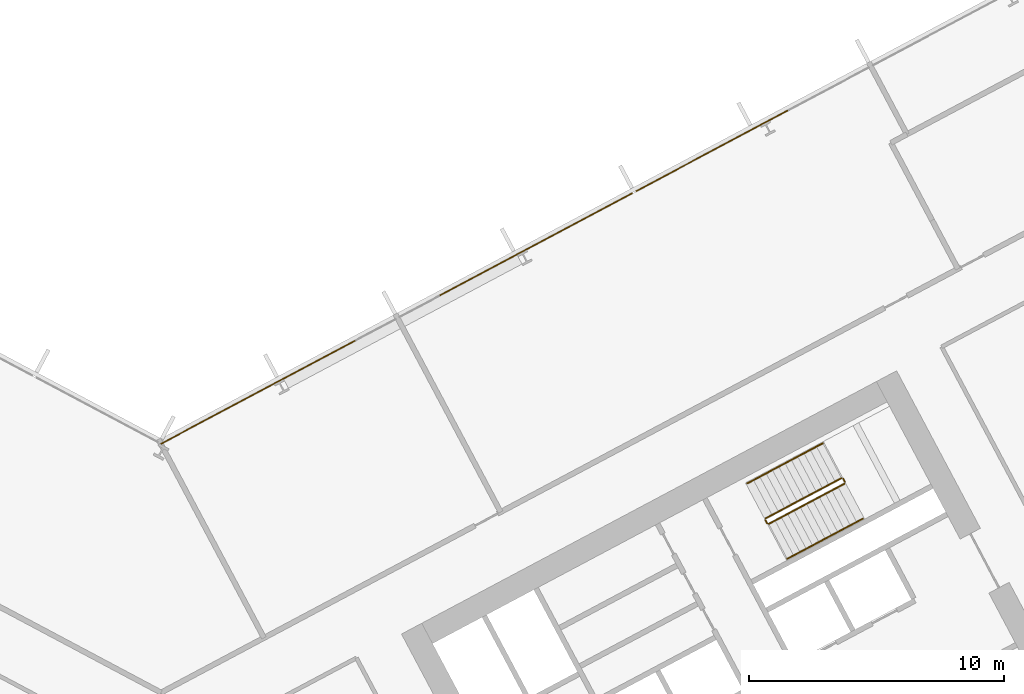
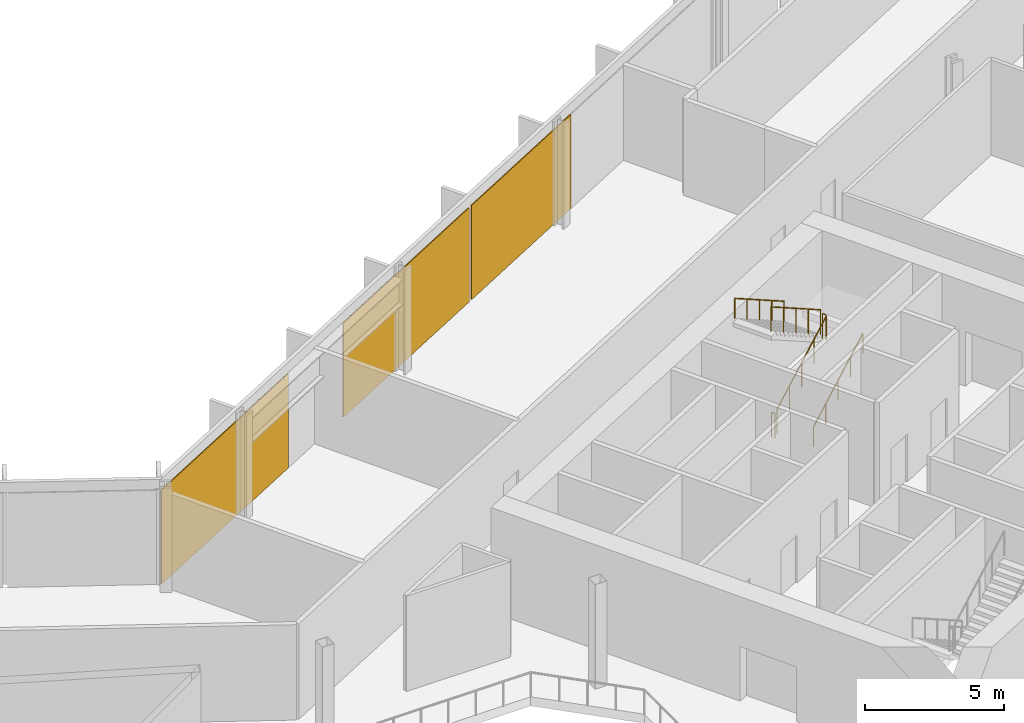
# One storey, part 29 of 32: 6 railings, 3 coverings, 1 element without a shape of its own.
"""IFC4 building model written with IfcOpenShell, lengths in metres."""

from ifc_helpers import new_model, si_unit, direction, frame, origin, origin_2d, place, context, subcontext, project, spatial, polyline, rectangle, outline, extrude, material, layer, layer_set, type_object, element, aggregate, save


model = new_model("IFC4")

# Units and contexts
model_context = context("Model", 3, precision=1e-05, world=origin(), true_north=direction((0.0, 1.0)))
body_context = subcontext(model_context, "Body", "Model", "MODEL_VIEW")
ifc_project = project(units=[si_unit("LENGTHUNIT", "METRE"), si_unit("AREAUNIT", "SQUARE_METRE"), si_unit("VOLUMEUNIT", "CUBIC_METRE"), si_unit("PLANEANGLEUNIT", "RADIAN"), si_unit("MASSUNIT", "GRAM", prefix="KILO")], contexts=[model_context])

# Site, building, storey
site_placement = place(None, origin())
site = spatial("IfcSite", under=ifc_project, at=site_placement, CompositionType="ELEMENT")
building_placement = place(site_placement, origin())
building = spatial("IfcBuilding", under=site, at=building_placement, Name="Cormorant Relay Tower", CompositionType="ELEMENT")
storey_placement = place(building_placement, frame((0.0, 0.0, 70.800048828125)))
storey = spatial("IfcBuildingStorey", under=building, at=storey_placement, Name="L13", CompositionType="ELEMENT", Elevation=70.800048828125)

# Curtain wall, coverings
ifc_material_1 = material(Name="Aluminium 6063-T6 anodised bronze", Category="aluminium")
ifc_layer_1 = layer(ifc_material_1, 0.199951171875)
ifc_layer_set_1 = layer_set([ifc_layer_1], Name="CW1 unitised bronze curtain wall with vertical fins")
curtain_wall_type = type_object("IfcCurtainWallType", Name="CW1 unitised bronze curtain wall with vertical fins", PredefinedType="NOTDEFINED", material=ifc_layer_set_1)
curtain_wall_placement = place(storey_placement, origin())
curtain_wall = element("IfcCurtainWall", 1, at=curtain_wall_placement, inside=storey, type_object=curtain_wall_type, Name="CW1 curtain wall 6", PredefinedType="NOTDEFINED")
ifc_material_2 = material(Name="Pale bronze anodised aluminium insulated panel", Category="aluminium")
ifc_layer_2 = layer(ifc_material_2, 0.0400390625)
ifc_layer_set_2 = layer_set([ifc_layer_2], Name="CW1 pale bronze insulated panel 40")
covering_type = type_object("IfcCoveringType", Name="CW1 pale bronze insulated panel 40", PredefinedType="CLADDING", material=ifc_layer_set_2)
covering_1_placement = place(storey_placement, frame((21.6123046875, 35.298095703125, 0.0), z_axis=(0.0, 0.0, 1.0), x_axis=(-0.882947592859, -0.469471562786, 0.0)))
covering_1 = element("IfcCovering", 2, at=covering_1_placement, type_object=covering_type, Name="CW1 panel S05", PredefinedType="CLADDING", context=body_context, shape_type="SweptSolid", body=[
    extrude(rectangle(XDim=6.765380859375, YDim=0.0400390625, at=origin_2d()), origin(), (0.0, 0.0, 1.0), 4.14990234375),
])
covering_2_placement = place(storey_placement, frame((14.7119140625, 31.629150390625, 0.0), z_axis=(0.0, 0.0, 1.0), x_axis=(-0.882947592859, -0.469471562786, 0.0)))
covering_2 = element("IfcCovering", 3, at=covering_2_placement, type_object=covering_type, Name="CW1 panel S06", PredefinedType="CLADDING", context=body_context, shape_type="SweptSolid", body=[
    extrude(rectangle(XDim=8.565185546875, YDim=0.0400390625, at=origin_2d()), origin(), (0.0, 0.0, 1.0), 4.14990234375),
])
covering_3_placement = place(storey_placement, frame((3.80517578125, 25.829833984375, 0.0), z_axis=(0.0, 0.0, 1.0), x_axis=(-0.882947592859, -0.469471562786, 0.0)))
covering_3 = element("IfcCovering", 4, at=covering_3_placement, type_object=covering_type, Name="CW1 panel S09", PredefinedType="CLADDING", context=body_context, shape_type="SweptSolid", body=[
    extrude(rectangle(XDim=8.640380859375, YDim=0.0400390625, at=origin_2d()), origin(), (0.0, 0.0, 1.0), 4.14990234375),
])
aggregate(curtain_wall, [covering_1, covering_2, covering_3])

# Railings
ifc_material_3 = material(Name="Steel ASTM A572 Grade 50 (Fy 345 MPa)", Category="steel")
railing_type_1 = type_object("IfcRailingType", Name="Stair guard 1100", PredefinedType="GUARDRAIL", material=ifc_material_3)
railing_1_placement = place(storey_placement, frame((23.8408203125, 20.6611328125, 0.1767578125)))
element("IfcRailing", 5, at=railing_1_placement, inside=storey, type_object=railing_type_1, Name="L13 B2 stair guard 1", PredefinedType="GUARDRAIL", context=body_context, shape_type="SweptSolid", body=[
    extrude(outline(polyline([(0.022216796875, 0.00927734375), (0.00927734375, 0.022216796875), (-0.00927734375, 0.022216796875), (-0.022216796875, 0.00927734375), (-0.022216796875, -0.00927734375), (-0.00927734375, -0.022216796875), (0.00927734375, -0.022216796875), (0.022216796875, -0.00927734375), (0.022216796875, 0.00927734375)])), frame((0.0, 0.0, 1.076171875), z_axis=(0.746416176936, 0.396856066424, 0.534198608526), x_axis=(-0.46945269911, 0.882957622595, 0.0)), (0.0, 0.0, 1.0), 3.974609375),
    extrude(outline(polyline([(0.019287109375, 0.008056640625), (0.008056640625, 0.019287109375), (-0.008056640625, 0.019287109375), (-0.019287109375, 0.008056640625), (-0.019287109375, -0.008056640625), (-0.008056640625, -0.019287109375), (0.008056640625, -0.019287109375), (0.019287109375, -0.008056640625), (0.019287109375, 0.008056640625)])), origin(), (0.0, 0.0, 1.0), 1.052001953125),
    extrude(outline(polyline([(0.019287109375, 0.008056640625), (0.008056640625, 0.019287109375), (-0.008056640625, 0.019287109375), (-0.019287109375, 0.008056640625), (-0.019287109375, -0.008056640625), (-0.008056640625, -0.019287109375), (0.008056640625, -0.019287109375), (0.019287109375, -0.008056640625), (0.019287109375, 0.008056640625)])), frame((0.74169921875, 0.394287109375, 0.53076171875)), (0.0, 0.0, 1.0), 1.052001953125),
    extrude(outline(polyline([(0.019287109375, 0.008056640625), (0.008056640625, 0.019287109375), (-0.008056640625, 0.019287109375), (-0.019287109375, 0.008056640625), (-0.019287109375, -0.008056640625), (-0.008056640625, -0.019287109375), (0.008056640625, -0.019287109375), (0.019287109375, -0.008056640625), (0.019287109375, 0.008056640625)])), frame((1.4833984375, 0.78857421875, 1.0615234375)), (0.0, 0.0, 1.0), 1.052001953125),
    extrude(outline(polyline([(0.019287109375, 0.008056640625), (0.008056640625, 0.019287109375), (-0.008056640625, 0.019287109375), (-0.019287109375, 0.008056640625), (-0.019287109375, -0.008056640625), (-0.008056640625, -0.019287109375), (0.008056640625, -0.019287109375), (0.019287109375, -0.008056640625), (0.019287109375, 0.008056640625)])), frame((2.22509765625, 1.18310546875, 1.592529296875)), (0.0, 0.0, 1.0), 1.052001953125),
    extrude(outline(polyline([(0.019287109375, 0.008056640625), (0.008056640625, 0.019287109375), (-0.008056640625, 0.019287109375), (-0.019287109375, 0.008056640625), (-0.019287109375, -0.008056640625), (-0.008056640625, -0.019287109375), (0.008056640625, -0.019287109375), (0.019287109375, -0.008056640625), (0.019287109375, 0.008056640625)])), frame((2.966796875, 1.577392578125, 2.123291015625)), (0.0, 0.0, 1.0), 1.052001953125),
])
railing_2_placement = place(storey_placement, frame((26.828125, 22.30615234375, 2.300048828125)))
element("IfcRailing", 6, at=railing_2_placement, inside=storey, type_object=railing_type_1, Name="L13 B2 stair guard 2", PredefinedType="GUARDRAIL", context=body_context, shape_type="SweptSolid", body=[
    extrude(outline(polyline([(0.022216796875, 0.00927734375), (0.00927734375, 0.022216796875), (-0.00927734375, 0.022216796875), (-0.022216796875, 0.00927734375), (-0.022216796875, -0.00927734375), (-0.00927734375, -0.022216796875), (0.00927734375, -0.022216796875), (0.022216796875, -0.00927734375), (0.022216796875, 0.00927734375)])), frame((0.0, 0.0, 1.076171875), z_axis=(-0.469234640946, 0.883073525669, 0.0), x_axis=(-0.883073525669, -0.469234640946, 0.0)), (0.0, 0.0, 1.0), 0.14990234375),
    extrude(outline(polyline([(0.019287109375, 0.008056640625), (0.008056640625, 0.019287109375), (-0.008056640625, 0.019287109375), (-0.019287109375, 0.008056640625), (-0.019287109375, -0.008056640625), (-0.008056640625, -0.019287109375), (0.008056640625, -0.019287109375), (0.019287109375, -0.008056640625), (0.019287109375, 0.008056640625)])), origin(), (0.0, 0.0, 1.0), 1.052001953125),
    extrude(outline(polyline([(0.019287109375, 0.008056640625), (0.008056640625, 0.019287109375), (-0.008056640625, 0.019287109375), (-0.019287109375, 0.008056640625), (-0.019287109375, -0.008056640625), (-0.008056640625, -0.019287109375), (0.008056640625, -0.019287109375), (0.019287109375, -0.008056640625), (0.019287109375, 0.008056640625)])), frame((-0.0703125, 0.13232421875, 0.0)), (0.0, 0.0, 1.0), 1.052001953125),
])
railing_3_placement = place(storey_placement, frame((26.690185546875, 22.459228515625, 2.476806640625)))
element("IfcRailing", 7, at=railing_3_placement, inside=storey, type_object=railing_type_1, Name="L13 B2 stair guard 3", PredefinedType="GUARDRAIL", context=body_context, shape_type="SweptSolid", body=[
    extrude(outline(polyline([(0.022216796875, 0.00927734375), (0.00927734375, 0.022216796875), (-0.00927734375, 0.022216796875), (-0.022216796875, 0.00927734375), (-0.022216796875, -0.00927734375), (-0.00927734375, -0.022216796875), (0.00927734375, -0.022216796875), (0.022216796875, -0.00927734375), (0.022216796875, 0.00927734375)])), frame((0.0, 0.0, 1.076171875), z_axis=(-0.746440668329, -0.396869088057, 0.534154711306), x_axis=(0.46945269911, -0.882957622595, 0.0)), (0.0, 0.0, 1.0), 3.974609375),
    extrude(outline(polyline([(0.019287109375, 0.008056640625), (0.008056640625, 0.019287109375), (-0.008056640625, 0.019287109375), (-0.019287109375, 0.008056640625), (-0.019287109375, -0.008056640625), (-0.008056640625, -0.019287109375), (0.008056640625, -0.019287109375), (0.019287109375, -0.008056640625), (0.019287109375, 0.008056640625)])), origin(), (0.0, 0.0, 1.0), 1.052001953125),
    extrude(outline(polyline([(0.019287109375, 0.008056640625), (0.008056640625, 0.019287109375), (-0.008056640625, 0.019287109375), (-0.019287109375, 0.008056640625), (-0.019287109375, -0.008056640625), (-0.008056640625, -0.019287109375), (0.008056640625, -0.019287109375), (0.019287109375, -0.008056640625), (0.019287109375, 0.008056640625)])), frame((-0.74169921875, -0.394287109375, 0.53076171875)), (0.0, 0.0, 1.0), 1.052001953125),
    extrude(outline(polyline([(0.019287109375, 0.008056640625), (0.008056640625, 0.019287109375), (-0.008056640625, 0.019287109375), (-0.019287109375, 0.008056640625), (-0.019287109375, -0.008056640625), (-0.008056640625, -0.019287109375), (0.008056640625, -0.019287109375), (0.019287109375, -0.008056640625), (0.019287109375, 0.008056640625)])), frame((-1.4833984375, -0.78857421875, 1.0615234375)), (0.0, 0.0, 1.0), 1.052001953125),
    extrude(outline(polyline([(0.019287109375, 0.008056640625), (0.008056640625, 0.019287109375), (-0.008056640625, 0.019287109375), (-0.019287109375, 0.008056640625), (-0.019287109375, -0.008056640625), (-0.008056640625, -0.019287109375), (0.008056640625, -0.019287109375), (0.019287109375, -0.008056640625), (0.019287109375, 0.008056640625)])), frame((-2.22509765625, -1.18310546875, 1.59228515625)), (0.0, 0.0, 1.0), 1.052001953125),
    extrude(outline(polyline([(0.019287109375, 0.008056640625), (0.008056640625, 0.019287109375), (-0.008056640625, 0.019287109375), (-0.019287109375, 0.008056640625), (-0.019287109375, -0.008056640625), (-0.008056640625, -0.019287109375), (0.008056640625, -0.019287109375), (0.019287109375, -0.008056640625), (0.019287109375, 0.008056640625)])), frame((-2.966796875, -1.577392578125, 2.123046875)), (0.0, 0.0, 1.0), 1.052001953125),
])
railing_4_placement = place(storey_placement, frame((23.773193359375, 20.681640625, 0.0)))
element("IfcRailing", 8, at=railing_4_placement, inside=storey, type_object=railing_type_1, Name="L13 B2 stair guard 4", PredefinedType="GUARDRAIL", context=body_context, shape_type="SweptSolid", body=[
    extrude(outline(polyline([(0.022216796875, 0.00927734375), (0.00927734375, 0.022216796875), (-0.00927734375, 0.022216796875), (-0.022216796875, 0.00927734375), (-0.022216796875, -0.00927734375), (-0.00927734375, -0.022216796875), (0.00927734375, -0.022216796875), (0.022216796875, -0.00927734375), (0.022216796875, 0.00927734375)])), frame((0.0, 0.0, 1.076171875), z_axis=(-0.46856034887, 0.8834314911, 0.0), x_axis=(-0.8834314911, -0.46856034887, 0.0)), (0.0, 0.0, 1.0), 0.150146484375),
    extrude(outline(polyline([(0.019287109375, 0.008056640625), (0.008056640625, 0.019287109375), (-0.008056640625, 0.019287109375), (-0.019287109375, 0.008056640625), (-0.019287109375, -0.008056640625), (-0.008056640625, -0.019287109375), (0.008056640625, -0.019287109375), (0.019287109375, -0.008056640625), (0.019287109375, 0.008056640625)])), origin(), (0.0, 0.0, 1.0), 1.052001953125),
    extrude(outline(polyline([(0.019287109375, 0.008056640625), (0.008056640625, 0.019287109375), (-0.008056640625, 0.019287109375), (-0.019287109375, 0.008056640625), (-0.019287109375, -0.008056640625), (-0.008056640625, -0.019287109375), (0.008056640625, -0.019287109375), (0.019287109375, -0.008056640625), (0.019287109375, 0.008056640625)])), frame((-0.0703125, 0.132568359375, 0.0)), (0.0, 0.0, 1.0), 1.052001953125),
])
ifc_material_4 = material(Name="Steel ASTM A572 Grade 50 (Fy 345 MPa)", Category="steel")
railing_type_2 = type_object("IfcRailingType", Name="Stair handrail 900", PredefinedType="HANDRAIL", material=ifc_material_4)
railing_5_placement = place(storey_placement, frame((24.568603515625, 19.29248046875, 0.1767578125)))
element("IfcRailing", 9, at=railing_5_placement, inside=storey, type_object=railing_type_2, Name="L13 B2 stair handrail 1", PredefinedType="HANDRAIL", context=body_context, shape_type="SweptSolid", body=[
    extrude(outline(polyline([(0.022216796875, 0.00927734375), (0.00927734375, 0.022216796875), (-0.00927734375, 0.022216796875), (-0.022216796875, 0.00927734375), (-0.022216796875, -0.00927734375), (-0.00927734375, -0.022216796875), (0.00927734375, -0.022216796875), (0.022216796875, -0.00927734375), (0.022216796875, 0.00927734375)])), frame((0.0, 0.0, 0.8759765625), z_axis=(0.746388972956, 0.396874261729, 0.534223100798), x_axis=(-0.469482818608, 0.88294160794, 0.0)), (0.0, 0.0, 1.0), 3.974609375),
    extrude(outline(polyline([(0.019287109375, 0.008056640625), (0.008056640625, 0.019287109375), (-0.008056640625, 0.019287109375), (-0.019287109375, 0.008056640625), (-0.019287109375, -0.008056640625), (-0.008056640625, -0.019287109375), (0.008056640625, -0.019287109375), (0.019287109375, -0.008056640625), (0.019287109375, 0.008056640625)])), origin(), (0.0, 0.0, 1.0), 0.851806640625),
    extrude(outline(polyline([(0.019287109375, 0.008056640625), (0.008056640625, 0.019287109375), (-0.008056640625, 0.019287109375), (-0.019287109375, 0.008056640625), (-0.019287109375, -0.008056640625), (-0.008056640625, -0.019287109375), (0.008056640625, -0.019287109375), (0.019287109375, -0.008056640625), (0.019287109375, 0.008056640625)])), frame((0.74169921875, 0.394287109375, 0.53076171875)), (0.0, 0.0, 1.0), 0.851806640625),
    extrude(outline(polyline([(0.019287109375, 0.008056640625), (0.008056640625, 0.019287109375), (-0.008056640625, 0.019287109375), (-0.019287109375, 0.008056640625), (-0.019287109375, -0.008056640625), (-0.008056640625, -0.019287109375), (0.008056640625, -0.019287109375), (0.019287109375, -0.008056640625), (0.019287109375, 0.008056640625)])), frame((1.4833984375, 0.78857421875, 1.0615234375)), (0.0, 0.0, 1.0), 0.851806640625),
    extrude(outline(polyline([(0.019287109375, 0.008056640625), (0.008056640625, 0.019287109375), (-0.008056640625, 0.019287109375), (-0.019287109375, 0.008056640625), (-0.019287109375, -0.008056640625), (-0.008056640625, -0.019287109375), (0.008056640625, -0.019287109375), (0.019287109375, -0.008056640625), (0.019287109375, 0.008056640625)])), frame((2.224853515625, 1.18310546875, 1.592529296875)), (0.0, 0.0, 1.0), 0.851806640625),
    extrude(outline(polyline([(0.019287109375, 0.008056640625), (0.008056640625, 0.019287109375), (-0.008056640625, 0.019287109375), (-0.019287109375, 0.008056640625), (-0.019287109375, -0.008056640625), (-0.008056640625, -0.019287109375), (0.008056640625, -0.019287109375), (0.019287109375, -0.008056640625), (0.019287109375, 0.008056640625)])), frame((2.966552734375, 1.577392578125, 2.123291015625)), (0.0, 0.0, 1.0), 0.851806640625),
])
railing_6_placement = place(storey_placement, frame((25.96240234375, 23.827880859375, 2.476806640625)))
element("IfcRailing", 10, at=railing_6_placement, inside=storey, type_object=railing_type_2, Name="L13 B2 stair handrail 2", PredefinedType="HANDRAIL", context=body_context, shape_type="SweptSolid", body=[
    extrude(outline(polyline([(0.022216796875, 0.00927734375), (0.00927734375, 0.022216796875), (-0.00927734375, 0.022216796875), (-0.022216796875, 0.00927734375), (-0.022216796875, -0.00927734375), (-0.00927734375, -0.022216796875), (0.00927734375, -0.022216796875), (0.022216796875, -0.00927734375), (0.022216796875, 0.00927734375)])), frame((0.0, 0.0, 0.8759765625), z_axis=(-0.74639526736, -0.39693903528, 0.534166179324), x_axis=(0.469539463624, -0.882911485994, 0.0)), (0.0, 0.0, 1.0), 3.974609375),
    extrude(outline(polyline([(0.019287109375, 0.008056640625), (0.008056640625, 0.019287109375), (-0.008056640625, 0.019287109375), (-0.019287109375, 0.008056640625), (-0.019287109375, -0.008056640625), (-0.008056640625, -0.019287109375), (0.008056640625, -0.019287109375), (0.019287109375, -0.008056640625), (0.019287109375, 0.008056640625)])), origin(), (0.0, 0.0, 1.0), 0.851806640625),
    extrude(outline(polyline([(0.019287109375, 0.008056640625), (0.008056640625, 0.019287109375), (-0.008056640625, 0.019287109375), (-0.019287109375, 0.008056640625), (-0.019287109375, -0.008056640625), (-0.008056640625, -0.019287109375), (0.008056640625, -0.019287109375), (0.019287109375, -0.008056640625), (0.019287109375, 0.008056640625)])), frame((-0.74169921875, -0.39453125, 0.53076171875)), (0.0, 0.0, 1.0), 0.851806640625),
    extrude(outline(polyline([(0.019287109375, 0.008056640625), (0.008056640625, 0.019287109375), (-0.008056640625, 0.019287109375), (-0.019287109375, 0.008056640625), (-0.019287109375, -0.008056640625), (-0.008056640625, -0.019287109375), (0.008056640625, -0.019287109375), (0.019287109375, -0.008056640625), (0.019287109375, 0.008056640625)])), frame((-1.4833984375, -0.788818359375, 1.0615234375)), (0.0, 0.0, 1.0), 0.851806640625),
    extrude(outline(polyline([(0.019287109375, 0.008056640625), (0.008056640625, 0.019287109375), (-0.008056640625, 0.019287109375), (-0.019287109375, 0.008056640625), (-0.019287109375, -0.008056640625), (-0.008056640625, -0.019287109375), (0.008056640625, -0.019287109375), (0.019287109375, -0.008056640625), (0.019287109375, 0.008056640625)])), frame((-2.224853515625, -1.18310546875, 1.59228515625)), (0.0, 0.0, 1.0), 0.851806640625),
    extrude(outline(polyline([(0.019287109375, 0.008056640625), (0.008056640625, 0.019287109375), (-0.008056640625, 0.019287109375), (-0.019287109375, 0.008056640625), (-0.019287109375, -0.008056640625), (-0.008056640625, -0.019287109375), (0.008056640625, -0.019287109375), (0.019287109375, -0.008056640625), (0.019287109375, 0.008056640625)])), frame((-2.966552734375, -1.57763671875, 2.123046875)), (0.0, 0.0, 1.0), 0.851806640625),
])

save(model, "model.ifc")
